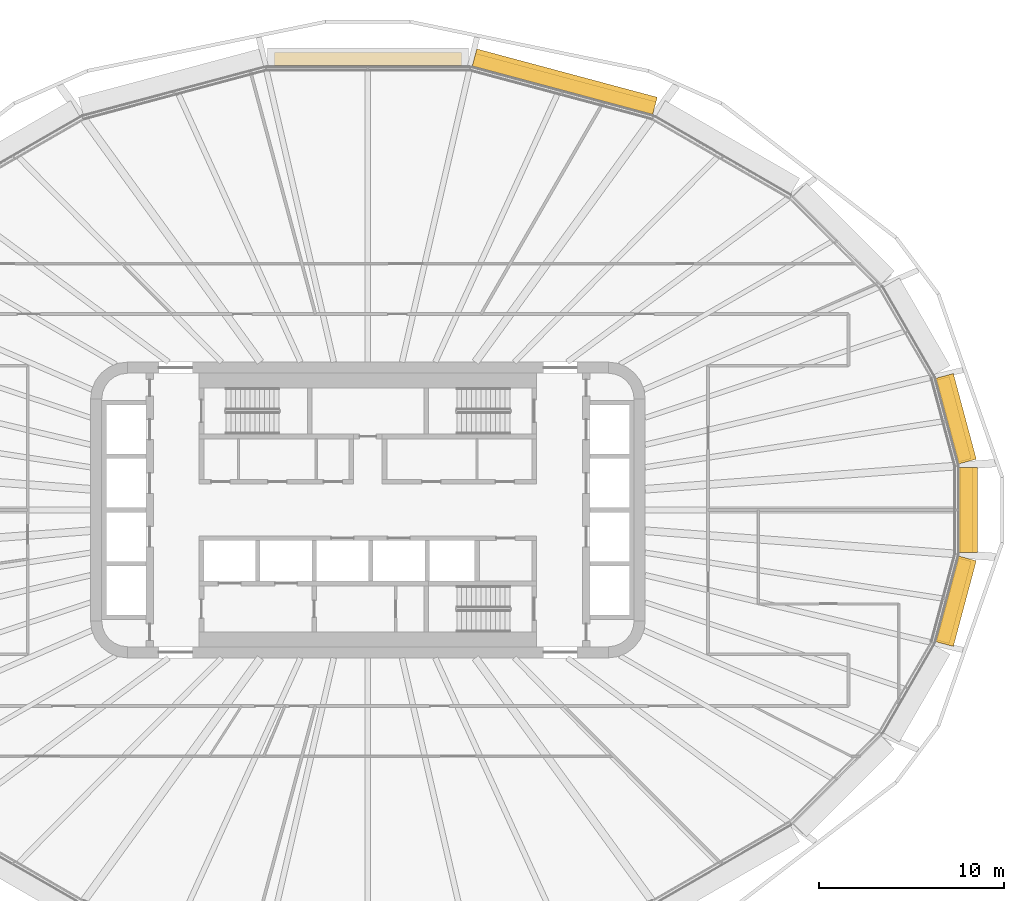
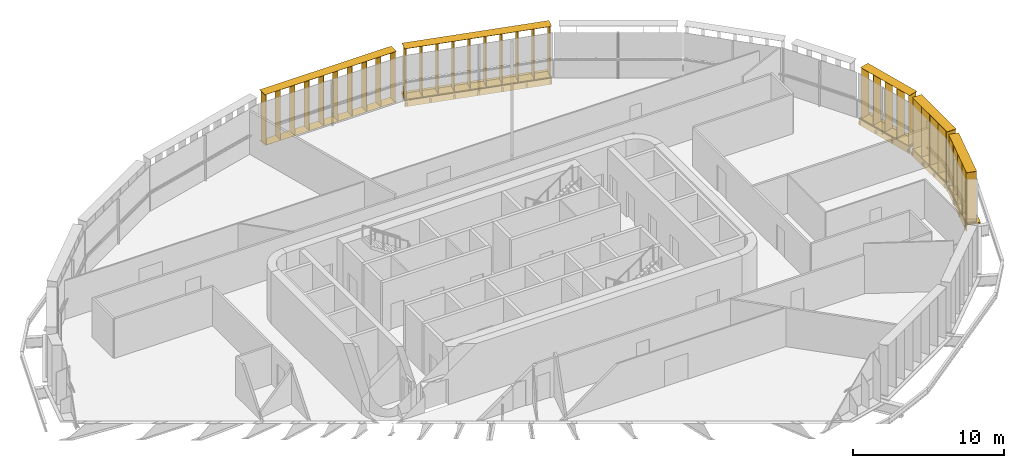
# One storey, part 25 of 25: 9 shading devices.
"""IFC4 building model written with IfcOpenShell, lengths in metres."""

from ifc_helpers import new_model, si_unit, direction, frame, origin, origin_2d, place, context, subcontext, project, spatial, rectangle, extrude, material, type_object, element, save


model = new_model("IFC4")

# Units and contexts
model_context = context("Model", 3, precision=1e-05, world=origin(), true_north=direction((0.0, 1.0)))
body_context = subcontext(model_context, "Body", "Model", "MODEL_VIEW")
ifc_project = project(units=[si_unit("LENGTHUNIT", "METRE"), si_unit("AREAUNIT", "SQUARE_METRE"), si_unit("VOLUMEUNIT", "CUBIC_METRE"), si_unit("PLANEANGLEUNIT", "RADIAN"), si_unit("MASSUNIT", "GRAM", prefix="KILO")], contexts=[model_context])

# Site, building, storey
site_placement = place(None, origin())
site = spatial("IfcSite", under=ifc_project, at=site_placement, CompositionType="ELEMENT")
building_placement = place(site_placement, origin())
building = spatial("IfcBuilding", under=site, at=building_placement, Name="Sahrelin Media Tower", CompositionType="ELEMENT")
storey_placement = place(building_placement, frame((0.0, 0.0, 110.39990234375)))
storey = spatial("IfcBuildingStorey", under=building, at=storey_placement, Name="L21", CompositionType="ELEMENT", Elevation=110.39990234375)

# Shading devices
ifc_material = material(Name="Champagne anodised aluminium 6063-T6", Category="aluminium")
shading_device_type_1 = type_object("IfcShadingDeviceType", Name="Fin cassette", PredefinedType="USERDEFINED", material=ifc_material)
placement_1 = place(storey_placement, frame((31.9443359375, 0.0, 0.0), z_axis=(0.0, 0.0, 1.0), x_axis=(0.0, -1.0, 0.0)))
element("IfcShadingDevice", 1, at=placement_1, inside=storey, type_object=shading_device_type_1, Name="L21:FIN:L21-00", ObjectType="FIN", PredefinedType="USERDEFINED", context=body_context, shape_type="SweptSolid", body=[
    extrude(rectangle(XDim=4.60009765625, YDim=0.699951171875, at=origin_2d()), frame((0.0, 0.419921875, 0.0)), (0.0, 0.0, 1.0), 0.02001953125),
    extrude(rectangle(XDim=4.60009765625, YDim=0.699951171875, at=origin_2d()), frame((0.0, 0.419921875, 4.10009765625)), (0.0, 0.0, 1.0), 0.02001953125),
    extrude(rectangle(XDim=0.02001953125, YDim=0.699951171875, at=origin_2d()), frame((-2.199951171875, 0.419921875, 0.010009765625), z_axis=(0.0, 0.0, 1.0), x_axis=(1.0, 0.0, 0.0)), (0.0, 0.0, 1.0), 4.10009765625),
    extrude(rectangle(XDim=0.02001953125, YDim=0.699951171875, at=origin_2d()), frame((-1.10009765625, 0.419921875, 0.010009765625), z_axis=(0.0, 0.0, 1.0), x_axis=(1.0, 0.0, 0.0)), (0.0, 0.0, 1.0), 4.10009765625),
    extrude(rectangle(XDim=0.02001953125, YDim=0.699951171875, at=origin_2d()), frame((0.0, 0.419921875, 0.010009765625), z_axis=(0.0, 0.0, 1.0), x_axis=(1.0, 0.0, 0.0)), (0.0, 0.0, 1.0), 4.10009765625),
    extrude(rectangle(XDim=0.02001953125, YDim=0.699951171875, at=origin_2d()), frame((1.10009765625, 0.419921875, 0.010009765625), z_axis=(0.0, 0.0, 1.0), x_axis=(1.0, 0.0, 0.0)), (0.0, 0.0, 1.0), 4.10009765625),
    extrude(rectangle(XDim=0.02001953125, YDim=0.699951171875, at=origin_2d()), frame((2.199951171875, 0.419921875, 0.010009765625), z_axis=(0.0, 0.0, 1.0), x_axis=(1.0, 0.0, 0.0)), (0.0, 0.0, 1.0), 4.10009765625),
])
placement_2 = place(storey_placement, frame((31.298095703125, 4.798828125, 0.0), z_axis=(0.0, 0.0, 1.0), x_axis=(0.258807731996, -0.965928857556, 0.0)))
element("IfcShadingDevice", 2, at=placement_2, inside=storey, type_object=shading_device_type_1, Name="L21:FIN:L21-01", ObjectType="FIN", PredefinedType="USERDEFINED", context=body_context, shape_type="SweptSolid", body=[
    extrude(rectangle(XDim=4.60009765625, YDim=0.699951171875, at=origin_2d()), frame((0.0, 0.419921875, 0.0)), (0.0, 0.0, 1.0), 0.02001953125),
    extrude(rectangle(XDim=4.60009765625, YDim=0.699951171875, at=origin_2d()), frame((0.0, 0.419921875, 4.10009765625)), (0.0, 0.0, 1.0), 0.02001953125),
    extrude(rectangle(XDim=0.02001953125, YDim=0.699951171875, at=origin_2d()), frame((-2.199951171875, 0.419921875, 0.010009765625), z_axis=(0.0, 0.0, 1.0), x_axis=(1.0, 0.0, 0.0)), (0.0, 0.0, 1.0), 4.10009765625),
    extrude(rectangle(XDim=0.02001953125, YDim=0.699951171875, at=origin_2d()), frame((-1.10009765625, 0.419921875, 0.010009765625), z_axis=(0.0, 0.0, 1.0), x_axis=(1.0, 0.0, 0.0)), (0.0, 0.0, 1.0), 4.10009765625),
    extrude(rectangle(XDim=0.02001953125, YDim=0.699951171875, at=origin_2d()), frame((0.0, 0.419921875, 0.010009765625), z_axis=(0.0, 0.0, 1.0), x_axis=(1.0, 0.0, 0.0)), (0.0, 0.0, 1.0), 4.10009765625),
    extrude(rectangle(XDim=0.02001953125, YDim=0.699951171875, at=origin_2d()), frame((1.10009765625, 0.419921875, 0.010009765625), z_axis=(0.0, 0.0, 1.0), x_axis=(1.0, 0.0, 0.0)), (0.0, 0.0, 1.0), 4.10009765625),
    extrude(rectangle(XDim=0.02001953125, YDim=0.699951171875, at=origin_2d()), frame((2.199951171875, 0.419921875, 0.010009765625), z_axis=(0.0, 0.0, 1.0), x_axis=(1.0, 0.0, 0.0)), (0.0, 0.0, 1.0), 4.10009765625),
])
placement_3 = place(storey_placement, frame((10.507080078125, 22.643798828125, 0.0), z_axis=(0.0, 0.0, 1.0), x_axis=(0.965928857556, -0.258807731996, 0.0)))
element("IfcShadingDevice", 3, at=placement_3, inside=storey, type_object=shading_device_type_1, Name="L21:FIN:L21-05", ObjectType="FIN", PredefinedType="USERDEFINED", context=body_context, shape_type="SweptSolid", body=[
    extrude(rectangle(XDim=10.10009765625, YDim=0.699951171875, at=origin_2d()), frame((0.0, 0.419921875, 0.0)), (0.0, 0.0, 1.0), 0.02001953125),
    extrude(rectangle(XDim=10.10009765625, YDim=0.699951171875, at=origin_2d()), frame((0.0, 0.419921875, 4.10009765625)), (0.0, 0.0, 1.0), 0.02001953125),
    extrude(rectangle(XDim=0.02001953125, YDim=0.699951171875, at=origin_2d()), frame((-4.949951171875, 0.419921875, 0.010009765625), z_axis=(0.0, 0.0, 1.0), x_axis=(1.0, 0.0, 0.0)), (0.0, 0.0, 1.0), 4.10009765625),
    extrude(rectangle(XDim=0.02001953125, YDim=0.699951171875, at=origin_2d()), frame((-3.85009765625, 0.419921875, 0.010009765625), z_axis=(0.0, 0.0, 1.0), x_axis=(1.0, 0.0, 0.0)), (0.0, 0.0, 1.0), 4.10009765625),
    extrude(rectangle(XDim=0.02001953125, YDim=0.699951171875, at=origin_2d()), frame((-2.75, 0.419921875, 0.010009765625), z_axis=(0.0, 0.0, 1.0), x_axis=(1.0, 0.0, 0.0)), (0.0, 0.0, 1.0), 4.10009765625),
    extrude(rectangle(XDim=0.02001953125, YDim=0.699951171875, at=origin_2d()), frame((-1.64990234375, 0.419921875, 0.010009765625), z_axis=(0.0, 0.0, 1.0), x_axis=(1.0, 0.0, 0.0)), (0.0, 0.0, 1.0), 4.10009765625),
    extrude(rectangle(XDim=0.02001953125, YDim=0.699951171875, at=origin_2d()), frame((-0.550048828125, 0.419921875, 0.010009765625), z_axis=(0.0, 0.0, 1.0), x_axis=(1.0, 0.0, 0.0)), (0.0, 0.0, 1.0), 4.10009765625),
    extrude(rectangle(XDim=0.02001953125, YDim=0.699951171875, at=origin_2d()), frame((0.550048828125, 0.419921875, 0.010009765625), z_axis=(0.0, 0.0, 1.0), x_axis=(1.0, 0.0, 0.0)), (0.0, 0.0, 1.0), 4.10009765625),
    extrude(rectangle(XDim=0.02001953125, YDim=0.699951171875, at=origin_2d()), frame((1.64990234375, 0.419921875, 0.010009765625), z_axis=(0.0, 0.0, 1.0), x_axis=(1.0, 0.0, 0.0)), (0.0, 0.0, 1.0), 4.10009765625),
    extrude(rectangle(XDim=0.02001953125, YDim=0.699951171875, at=origin_2d()), frame((2.75, 0.419921875, 0.010009765625), z_axis=(0.0, 0.0, 1.0), x_axis=(1.0, 0.0, 0.0)), (0.0, 0.0, 1.0), 4.10009765625),
    extrude(rectangle(XDim=0.02001953125, YDim=0.699951171875, at=origin_2d()), frame((3.85009765625, 0.419921875, 0.010009765625), z_axis=(0.0, 0.0, 1.0), x_axis=(1.0, 0.0, 0.0)), (0.0, 0.0, 1.0), 4.10009765625),
    extrude(rectangle(XDim=0.02001953125, YDim=0.699951171875, at=origin_2d()), frame((4.949951171875, 0.419921875, 0.010009765625), z_axis=(0.0, 0.0, 1.0), x_axis=(1.0, 0.0, 0.0)), (0.0, 0.0, 1.0), 4.10009765625),
])
shading_device_4_placement = place(storey_placement, frame((0.0, 23.97705078125, 0.0), z_axis=(0.0, 0.0, 1.0), x_axis=(1.0, 0.0, 0.0)))
element("IfcShadingDevice", 4, at=shading_device_4_placement, inside=storey, type_object=shading_device_type_1, Name="L21:FIN:L21-06", ObjectType="FIN", PredefinedType="USERDEFINED", context=body_context, shape_type="SweptSolid", body=[
    extrude(rectangle(XDim=10.10009765625, YDim=0.699951171875, at=origin_2d()), frame((0.0, 0.419921875, 0.0)), (0.0, 0.0, 1.0), 0.02001953125),
    extrude(rectangle(XDim=10.10009765625, YDim=0.699951171875, at=origin_2d()), frame((0.0, 0.419921875, 4.10009765625)), (0.0, 0.0, 1.0), 0.02001953125),
    extrude(rectangle(XDim=0.02001953125, YDim=0.699951171875, at=origin_2d()), frame((-4.949951171875, 0.419921875, 0.010009765625), z_axis=(0.0, 0.0, 1.0), x_axis=(1.0, 0.0, 0.0)), (0.0, 0.0, 1.0), 4.10009765625),
    extrude(rectangle(XDim=0.02001953125, YDim=0.699951171875, at=origin_2d()), frame((-3.85009765625, 0.419921875, 0.010009765625), z_axis=(0.0, 0.0, 1.0), x_axis=(1.0, 0.0, 0.0)), (0.0, 0.0, 1.0), 4.10009765625),
    extrude(rectangle(XDim=0.02001953125, YDim=0.699951171875, at=origin_2d()), frame((-2.75, 0.419921875, 0.010009765625), z_axis=(0.0, 0.0, 1.0), x_axis=(1.0, 0.0, 0.0)), (0.0, 0.0, 1.0), 4.10009765625),
    extrude(rectangle(XDim=0.02001953125, YDim=0.699951171875, at=origin_2d()), frame((-1.64990234375, 0.419921875, 0.010009765625), z_axis=(0.0, 0.0, 1.0), x_axis=(1.0, 0.0, 0.0)), (0.0, 0.0, 1.0), 4.10009765625),
    extrude(rectangle(XDim=0.02001953125, YDim=0.699951171875, at=origin_2d()), frame((-0.550048828125, 0.419921875, 0.010009765625), z_axis=(0.0, 0.0, 1.0), x_axis=(1.0, 0.0, 0.0)), (0.0, 0.0, 1.0), 4.10009765625),
    extrude(rectangle(XDim=0.02001953125, YDim=0.699951171875, at=origin_2d()), frame((0.550048828125, 0.419921875, 0.010009765625), z_axis=(0.0, 0.0, 1.0), x_axis=(1.0, 0.0, 0.0)), (0.0, 0.0, 1.0), 4.10009765625),
    extrude(rectangle(XDim=0.02001953125, YDim=0.699951171875, at=origin_2d()), frame((1.64990234375, 0.419921875, 0.010009765625), z_axis=(0.0, 0.0, 1.0), x_axis=(1.0, 0.0, 0.0)), (0.0, 0.0, 1.0), 4.10009765625),
    extrude(rectangle(XDim=0.02001953125, YDim=0.699951171875, at=origin_2d()), frame((2.75, 0.419921875, 0.010009765625), z_axis=(0.0, 0.0, 1.0), x_axis=(1.0, 0.0, 0.0)), (0.0, 0.0, 1.0), 4.10009765625),
    extrude(rectangle(XDim=0.02001953125, YDim=0.699951171875, at=origin_2d()), frame((3.85009765625, 0.419921875, 0.010009765625), z_axis=(0.0, 0.0, 1.0), x_axis=(1.0, 0.0, 0.0)), (0.0, 0.0, 1.0), 4.10009765625),
    extrude(rectangle(XDim=0.02001953125, YDim=0.699951171875, at=origin_2d()), frame((4.949951171875, 0.419921875, 0.010009765625), z_axis=(0.0, 0.0, 1.0), x_axis=(1.0, 0.0, 0.0)), (0.0, 0.0, 1.0), 4.10009765625),
])
placement_4 = place(storey_placement, frame((31.298095703125, -4.798583984375, 0.0), z_axis=(0.0, 0.0, 1.0), x_axis=(-0.258807731996, -0.965928857556, 0.0)))
element("IfcShadingDevice", 5, at=placement_4, inside=storey, type_object=shading_device_type_1, Name="L21:FIN:L21-23", ObjectType="FIN", PredefinedType="USERDEFINED", context=body_context, shape_type="SweptSolid", body=[
    extrude(rectangle(XDim=4.60009765625, YDim=0.699951171875, at=origin_2d()), frame((0.0, 0.419921875, 0.0)), (0.0, 0.0, 1.0), 0.02001953125),
    extrude(rectangle(XDim=4.60009765625, YDim=0.699951171875, at=origin_2d()), frame((0.0, 0.419921875, 4.10009765625)), (0.0, 0.0, 1.0), 0.02001953125),
    extrude(rectangle(XDim=0.02001953125, YDim=0.699951171875, at=origin_2d()), frame((-2.199951171875, 0.419921875, 0.010009765625), z_axis=(0.0, 0.0, 1.0), x_axis=(1.0, 0.0, 0.0)), (0.0, 0.0, 1.0), 4.10009765625),
    extrude(rectangle(XDim=0.02001953125, YDim=0.699951171875, at=origin_2d()), frame((-1.10009765625, 0.419921875, 0.010009765625), z_axis=(0.0, 0.0, 1.0), x_axis=(1.0, 0.0, 0.0)), (0.0, 0.0, 1.0), 4.10009765625),
    extrude(rectangle(XDim=0.02001953125, YDim=0.699951171875, at=origin_2d()), frame((0.0, 0.419921875, 0.010009765625), z_axis=(0.0, 0.0, 1.0), x_axis=(1.0, 0.0, 0.0)), (0.0, 0.0, 1.0), 4.10009765625),
    extrude(rectangle(XDim=0.02001953125, YDim=0.699951171875, at=origin_2d()), frame((1.10009765625, 0.419921875, 0.010009765625), z_axis=(0.0, 0.0, 1.0), x_axis=(1.0, 0.0, 0.0)), (0.0, 0.0, 1.0), 4.10009765625),
    extrude(rectangle(XDim=0.02001953125, YDim=0.699951171875, at=origin_2d()), frame((2.199951171875, 0.419921875, 0.010009765625), z_axis=(0.0, 0.0, 1.0), x_axis=(1.0, 0.0, 0.0)), (0.0, 0.0, 1.0), 4.10009765625),
])
shading_device_type_2 = type_object("IfcShadingDeviceType", Name="Sunshade band", PredefinedType="USERDEFINED", material=ifc_material)
element("IfcShadingDevice", 6, at=placement_1, inside=storey, type_object=shading_device_type_2, Name="L21:SUN:L21-00", ObjectType="SUNSHADE", PredefinedType="USERDEFINED", context=body_context, shape_type="SweptSolid", body=[
    extrude(rectangle(XDim=4.574462890625, YDim=0.050048828125, at=origin_2d()), frame((0.0, 0.044921875, -0.55126953125)), (0.0, 0.0, 1.0), 0.471435546875),
    extrude(rectangle(XDim=4.574462890625, YDim=1.0, at=origin_2d()), frame((0.0, 0.52001953125, -0.080078125)), (0.0, 0.0, 1.0), 0.080078125),
    extrude(rectangle(XDim=0.10009765625, YDim=0.074951171875, at=origin_2d()), frame((-2.187255859375, -0.017578125, -0.47021484375)), (0.0, 0.0, 1.0), 0.300048828125),
    extrude(rectangle(XDim=0.10009765625, YDim=0.074951171875, at=origin_2d()), frame((-0.72900390625, -0.017578125, -0.47021484375)), (0.0, 0.0, 1.0), 0.300048828125),
    extrude(rectangle(XDim=0.10009765625, YDim=0.074951171875, at=origin_2d()), frame((0.72900390625, -0.017578125, -0.47021484375)), (0.0, 0.0, 1.0), 0.300048828125),
    extrude(rectangle(XDim=0.10009765625, YDim=0.074951171875, at=origin_2d()), frame((2.187255859375, -0.017578125, -0.47021484375)), (0.0, 0.0, 1.0), 0.300048828125),
])
element("IfcShadingDevice", 7, at=placement_2, inside=storey, type_object=shading_device_type_2, Name="L21:SUN:L21-01", ObjectType="SUNSHADE", PredefinedType="USERDEFINED", context=body_context, shape_type="SweptSolid", body=[
    extrude(rectangle(XDim=4.793212890625, YDim=0.050048828125, at=origin_2d()), frame((0.0, 0.044921875, -0.55126953125)), (0.0, 0.0, 1.0), 0.471435546875),
    extrude(rectangle(XDim=4.793212890625, YDim=1.0, at=origin_2d()), frame((0.0, 0.52001953125, -0.080078125)), (0.0, 0.0, 1.0), 0.080078125),
    extrude(rectangle(XDim=0.10009765625, YDim=0.074951171875, at=origin_2d()), frame((-2.296630859375, -0.017578125, -0.47021484375)), (0.0, 0.0, 1.0), 0.300048828125),
    extrude(rectangle(XDim=0.10009765625, YDim=0.074951171875, at=origin_2d()), frame((-0.765380859375, -0.017578125, -0.47021484375)), (0.0, 0.0, 1.0), 0.300048828125),
    extrude(rectangle(XDim=0.10009765625, YDim=0.074951171875, at=origin_2d()), frame((0.765380859375, -0.017578125, -0.47021484375)), (0.0, 0.0, 1.0), 0.300048828125),
    extrude(rectangle(XDim=0.10009765625, YDim=0.074951171875, at=origin_2d()), frame((2.296630859375, -0.017578125, -0.47021484375)), (0.0, 0.0, 1.0), 0.300048828125),
])
element("IfcShadingDevice", 8, at=placement_3, inside=storey, type_object=shading_device_type_2, Name="L21:SUN:L21-05", ObjectType="SUNSHADE", PredefinedType="USERDEFINED", context=body_context, shape_type="SweptSolid", body=[
    extrude(rectangle(XDim=10.103759765625, YDim=0.050048828125, at=origin_2d()), frame((0.0, 0.044921875, -0.55126953125)), (0.0, 0.0, 1.0), 0.471435546875),
    extrude(rectangle(XDim=10.103759765625, YDim=1.0, at=origin_2d()), frame((0.0, 0.52001953125, -0.080078125)), (0.0, 0.0, 1.0), 0.080078125),
    extrude(rectangle(XDim=0.10009765625, YDim=0.074951171875, at=origin_2d()), frame((-4.951904296875, -0.017578125, -0.47021484375)), (0.0, 0.0, 1.0), 0.300048828125),
    extrude(rectangle(XDim=0.10009765625, YDim=0.074951171875, at=origin_2d()), frame((-3.30126953125, -0.017578125, -0.47021484375)), (0.0, 0.0, 1.0), 0.300048828125),
    extrude(rectangle(XDim=0.10009765625, YDim=0.074951171875, at=origin_2d()), frame((-1.650634765625, -0.017578125, -0.47021484375)), (0.0, 0.0, 1.0), 0.300048828125),
    extrude(rectangle(XDim=0.10009765625, YDim=0.074951171875, at=origin_2d()), frame((0.0, -0.017578125, -0.47021484375)), (0.0, 0.0, 1.0), 0.300048828125),
    extrude(rectangle(XDim=0.10009765625, YDim=0.074951171875, at=origin_2d()), frame((1.650634765625, -0.017578125, -0.47021484375)), (0.0, 0.0, 1.0), 0.300048828125),
    extrude(rectangle(XDim=0.10009765625, YDim=0.074951171875, at=origin_2d()), frame((3.30126953125, -0.017578125, -0.47021484375)), (0.0, 0.0, 1.0), 0.300048828125),
    extrude(rectangle(XDim=0.10009765625, YDim=0.074951171875, at=origin_2d()), frame((4.951904296875, -0.017578125, -0.47021484375)), (0.0, 0.0, 1.0), 0.300048828125),
])
element("IfcShadingDevice", 9, at=placement_4, inside=storey, type_object=shading_device_type_2, Name="L21:SUN:L21-23", ObjectType="SUNSHADE", PredefinedType="USERDEFINED", context=body_context, shape_type="SweptSolid", body=[
    extrude(rectangle(XDim=4.793212890625, YDim=0.050048828125, at=origin_2d()), frame((0.0, 0.044921875, -0.55126953125)), (0.0, 0.0, 1.0), 0.471435546875),
    extrude(rectangle(XDim=4.793212890625, YDim=1.0, at=origin_2d()), frame((0.0, 0.52001953125, -0.080078125)), (0.0, 0.0, 1.0), 0.080078125),
    extrude(rectangle(XDim=0.10009765625, YDim=0.074951171875, at=origin_2d()), frame((-2.296630859375, -0.017578125, -0.47021484375)), (0.0, 0.0, 1.0), 0.300048828125),
    extrude(rectangle(XDim=0.10009765625, YDim=0.074951171875, at=origin_2d()), frame((-0.765380859375, -0.017578125, -0.47021484375)), (0.0, 0.0, 1.0), 0.300048828125),
    extrude(rectangle(XDim=0.10009765625, YDim=0.074951171875, at=origin_2d()), frame((0.765380859375, -0.017578125, -0.47021484375)), (0.0, 0.0, 1.0), 0.300048828125),
    extrude(rectangle(XDim=0.10009765625, YDim=0.074951171875, at=origin_2d()), frame((2.296630859375, -0.017578125, -0.47021484375)), (0.0, 0.0, 1.0), 0.300048828125),
])

save(model, "model.ifc")
